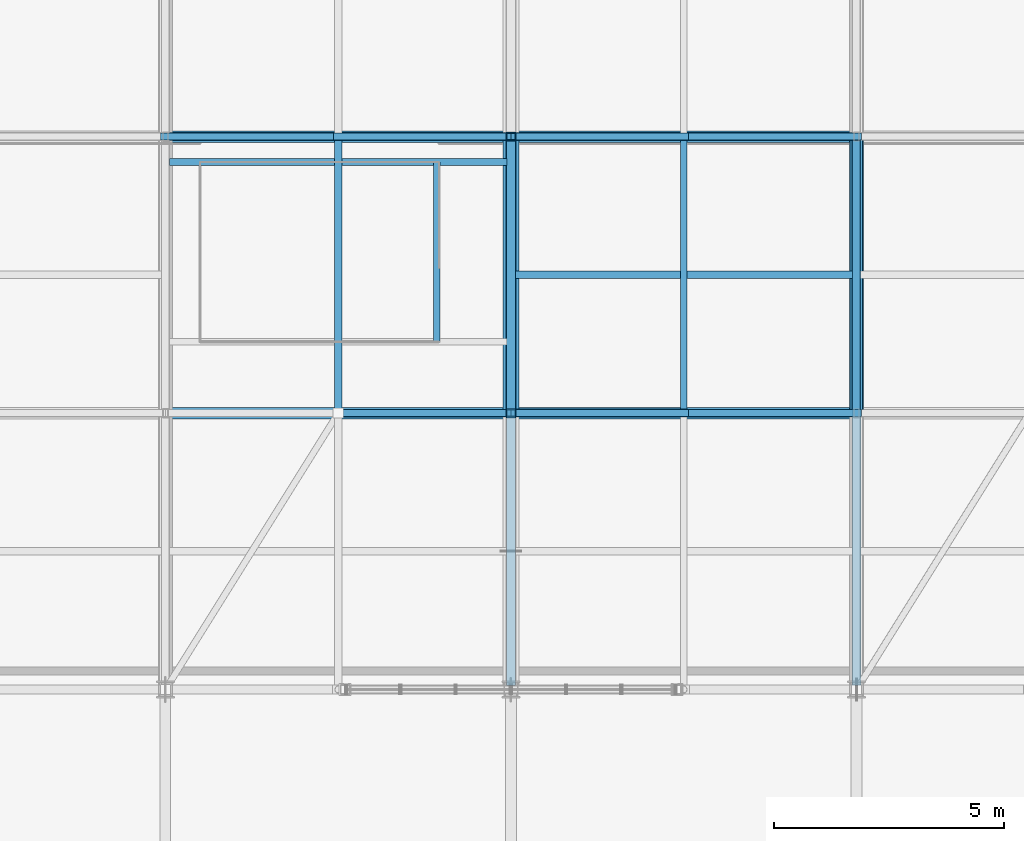
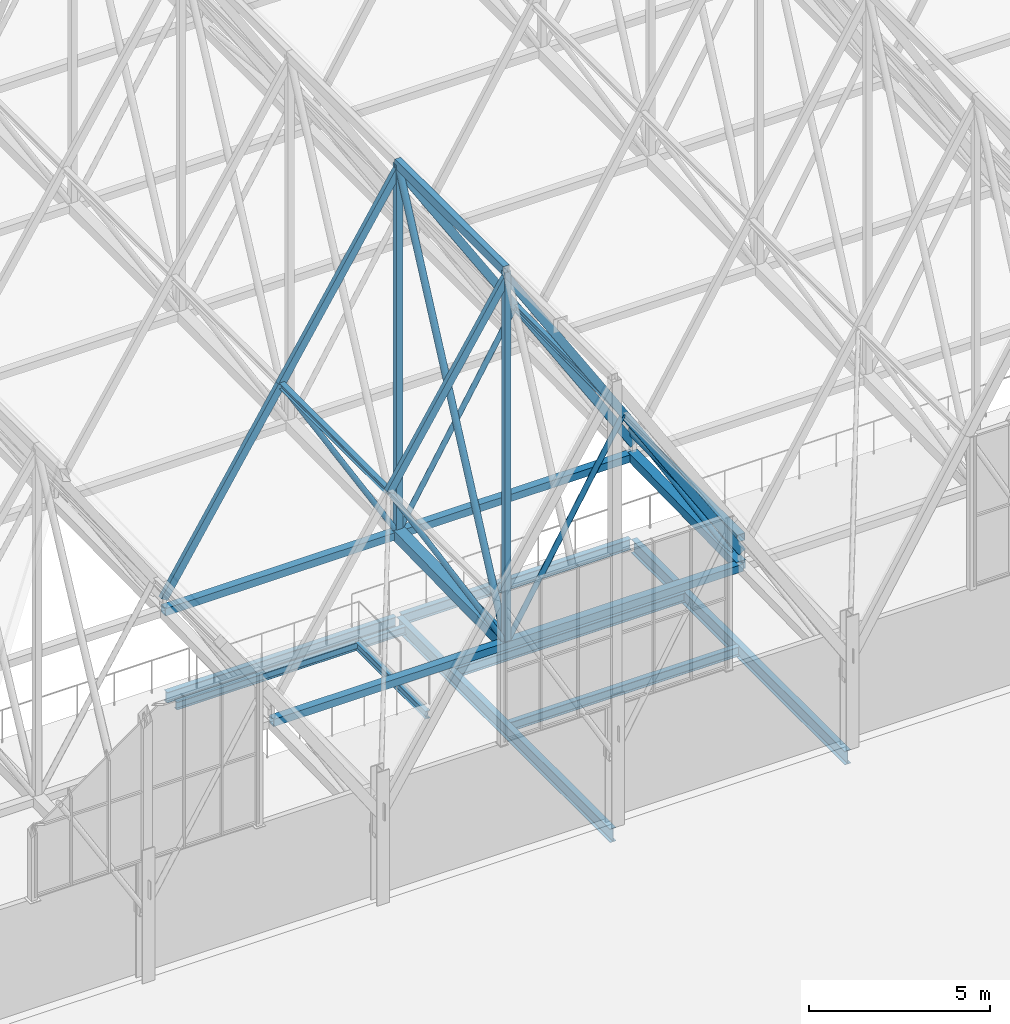
# One storey, part 90 of 324: 21 members, 10 beams.
"""IFC4 building model written with IfcOpenShell, lengths in metres."""

from ifc_helpers import new_model, si_unit, direction, frame, origin, origin_2d, place, context, subcontext, project, spatial, hollow_rectangle, hollow_circle, i_section, extrude, material, material_profile, profile_set, type_object, element, save


model = new_model("IFC4")

# Units and contexts
model_context = context("Model", 3, precision=1e-05, world=origin(), true_north=direction((0.0, 1.0)))
body_context = subcontext(model_context, "Body", "Model", "MODEL_VIEW")
ifc_project = project(units=[si_unit("LENGTHUNIT", "METRE"), si_unit("AREAUNIT", "SQUARE_METRE"), si_unit("VOLUMEUNIT", "CUBIC_METRE"), si_unit("PLANEANGLEUNIT", "RADIAN"), si_unit("MASSUNIT", "GRAM", prefix="KILO")], contexts=[model_context])

# Site, building, storey
site_placement = place(None, origin())
site = spatial("IfcSite", under=ifc_project, at=site_placement, CompositionType="ELEMENT")
building_placement = place(site_placement, origin())
building = spatial("IfcBuilding", under=site, at=building_placement, Name="Solvenia Promenade Tram Depot", CompositionType="ELEMENT")
storey_placement = place(building_placement, frame((0.0, 0.0, 4.5)))
storey = spatial("IfcBuildingStorey", under=building, at=storey_placement, Name="L01", CompositionType="ELEMENT", Elevation=4.5)

# Beams
ifc_material_1 = material(Name="Structural steel ASTM A992 Gr. 50", Category="steel")
ifc_material_profile_1 = material_profile(ifc_material_1, i_section(OverallWidth=0.19091796875, OverallDepth=0.4599609375, WebThickness=0.010009765625, FlangeThickness=0.01611328125, FilletRadius=0.012939453125, at=origin_2d()), Name="W460x82", Category="steel")
ifc_profile_set_1 = profile_set([ifc_material_profile_1], Name="Structural steel ASTM A992 Gr. 50")
beam_type_1 = type_object("IfcBeamType", Name="Beam-W460x82", PredefinedType="BEAM", material=ifc_profile_set_1)
for number, where, z_axis, x_axis, name in (
    (1, (22.5, 66.0849609375, -0.449951171875), (0.0, 1.0, 0.0), (-1.0, 0.0, 0.0), "Transverse Girder BM-L01-0044"),
    (2, (30.0, 66.0849609375, -0.449951171875), (0.0, 1.0, 0.0), (-1.0, 0.0, 0.0), "Transverse Girder BM-L01-0045"),
):
    element("IfcBeam", number, at=place(storey_placement, frame(where, z_axis=z_axis, x_axis=x_axis)), inside=storey, type_object=beam_type_1, Name=name, PredefinedType="BEAM", context=body_context, shape_type="SweptSolid", body=[
        extrude(i_section(OverallWidth=0.19091796875, OverallDepth=0.4599609375, WebThickness=0.010009765625, FlangeThickness=0.01611328125, FilletRadius=0.012939453125, at=origin_2d()), origin(), (0.0, 0.0, 1.0), 11.830078125),
    ])

# Members
ifc_material_2 = material(Name="Structural steel ASTM A500 Gr. C", Category="steel")
ifc_material_profile_2 = material_profile(ifc_material_2, hollow_circle(Radius=0.109619140625, WallThickness=0.008056640625, at=origin_2d()), Name="CHS219.1x8", Category="steel")
ifc_profile_set_2 = profile_set([ifc_material_profile_2], Name="Structural steel ASTM A500 Gr. C")
member_type_1 = type_object("IfcMemberType", Name="Brace-CHS219x8", PredefinedType="BRACE", material=ifc_profile_set_2)
member_1_placement = place(storey_placement, frame((22.5, 72.0, 2.446044921875), z_axis=(0.0, 0.430100688275, 0.902780924669), x_axis=(-1.0, 0.0, 0.0)))
element("IfcMember", 3, at=member_1_placement, inside=storey, type_object=member_type_1, Name="Arched Truss T04 Web Diagonal S02", PredefinedType="BRACE", context=body_context, shape_type="SweptSolid", body=[
    extrude(hollow_circle(Radius=0.109619140625, WallThickness=0.008056640625, at=origin_2d()), origin(), (0.0, 0.0, 1.0), 13.9501953125),
])
ifc_material_profile_3 = material_profile(ifc_material_2, hollow_rectangle(XDim=0.14990234375, YDim=0.25, WallThickness=0.010009765625, at=origin_2d()), Name="HSS250x150x10", Category="steel")
ifc_profile_set_3 = profile_set([ifc_material_profile_3], Name="Structural steel ASTM A500 Gr. C")
member_type_2 = type_object("IfcMemberType", Name="Chord-HSS250x150x10", PredefinedType="CHORD", material=ifc_profile_set_3)
for number, where, z_axis, x_axis, name in (
    (4, (18.75, 72.0, 8.8876953125), (0.533522444929, 0.0, 0.845785907164), (0.0, 1.0, 0.0), "Zigzag Gable 02 West Upper Rafter"),
    (5, (22.5, 72.0, 14.83251953125), (0.533522444929, 0.0, -0.845785907164), (0.0, 1.0, 0.0), "Zigzag Gable 02 East Upper Rafter"),
):
    element("IfcMember", number, at=place(storey_placement, frame(where, z_axis=z_axis, x_axis=x_axis)), inside=storey, type_object=member_type_2, Name=name, PredefinedType="CHORD", context=body_context, shape_type="SweptSolid", body=[
        extrude(hollow_rectangle(XDim=0.14990234375, YDim=0.25, WallThickness=0.010009765625, at=origin_2d()), origin(), (0.0, 0.0, 1.0), 7.02880859375),
    ])
for number, where, z_axis, x_axis, name in (
    (6, (26.25, 72.0, 8.8876953125), (0.533506771487, 0.0, -0.845795793781), (0.0, 1.0, 0.0), "Zigzag Gable 02 East Lower Rafter"),
    (7, (15.0, 78.0, 2.942626953125), (0.533506771487, 0.0, 0.845795793781), (0.0, 1.0, 0.0), "Zigzag Gable 02 West Lower Rafter"),
):
    element("IfcMember", number, at=place(storey_placement, frame(where, z_axis=z_axis, x_axis=x_axis)), inside=storey, type_object=member_type_2, Name=name, PredefinedType="CHORD", context=body_context, shape_type="SweptSolid", body=[
        extrude(hollow_rectangle(XDim=0.14990234375, YDim=0.25, WallThickness=0.010009765625, at=origin_2d()), origin(), (0.0, 0.0, 1.0), 7.029052734375),
    ])
for number, where, z_axis, x_axis, name in (
    (8, (18.75, 78.0, 8.8876953125), (0.533522444929, 0.0, 0.845785907164), (0.0, 1.0, 0.0), "Zigzag Gable 02 West Upper Rafter"),
    (9, (22.5, 78.0, 14.83251953125), (0.533522444929, 0.0, -0.845785907164), (0.0, 1.0, 0.0), "Zigzag Gable 02 East Upper Rafter"),
):
    element("IfcMember", number, at=place(storey_placement, frame(where, z_axis=z_axis, x_axis=x_axis)), inside=storey, type_object=member_type_2, Name=name, PredefinedType="CHORD", context=body_context, shape_type="SweptSolid", body=[
        extrude(hollow_rectangle(XDim=0.14990234375, YDim=0.25, WallThickness=0.010009765625, at=origin_2d()), origin(), (0.0, 0.0, 1.0), 7.02880859375),
    ])
member_2_placement = place(storey_placement, frame((26.25, 78.0, 8.8876953125), z_axis=(0.533506771487, 0.0, -0.845795793781), x_axis=(0.0, 1.0, 0.0)))
element("IfcMember", 10, at=member_2_placement, inside=storey, type_object=member_type_2, Name="Zigzag Gable 02 East Lower Rafter", PredefinedType="CHORD", context=body_context, shape_type="SweptSolid", body=[
    extrude(hollow_rectangle(XDim=0.14990234375, YDim=0.25, WallThickness=0.010009765625, at=origin_2d()), origin(), (0.0, 0.0, 1.0), 7.029052734375),
])
ifc_material_profile_4 = material_profile(ifc_material_2, hollow_rectangle(XDim=0.25, YDim=0.25, WallThickness=0.010009765625, at=origin_2d()), Name="HSS250x250x10", Category="steel")
ifc_profile_set_4 = profile_set([ifc_material_profile_4], Name="Structural steel ASTM A500 Gr. C")
member_type_3 = type_object("IfcMemberType", Name="Chord-HSS250x250x10", PredefinedType="CHORD", material=ifc_profile_set_4)
member_3_placement = place(storey_placement, frame((30.0, 72.0, 3.3798828125), z_axis=(0.0, 1.0, 0.0), x_axis=(-1.0, 0.0, 0.0)))
element("IfcMember", 11, at=member_3_placement, inside=storey, type_object=member_type_3, Name="Arched Truss T05 Upper Chord S02", PredefinedType="CHORD", context=body_context, shape_type="SweptSolid", body=[
    extrude(hollow_rectangle(XDim=0.25, YDim=0.25, WallThickness=0.010009765625, at=origin_2d()), origin(), (0.0, 0.0, 1.0), 6.0),
])
for number, where, z_axis, x_axis, name in (
    (12, (15.0, 72.0, 2.446044921875), (1.0, 0.0, 0.0), (0.0, 1.0, 0.0), "Bottom-Chord Catenary Lateral Tie 010"),
    (13, (15.0, 78.0, 2.5439453125), (1.0, 0.0, 0.0), (0.0, 1.0, 0.0), "Bottom-Chord Catenary Lateral Tie 011"),
):
    element("IfcMember", number, at=place(storey_placement, frame(where, z_axis=z_axis, x_axis=x_axis)), inside=storey, type_object=member_type_3, Name=name, PredefinedType="CHORD", context=body_context, shape_type="SweptSolid", body=[
        extrude(hollow_rectangle(XDim=0.25, YDim=0.25, WallThickness=0.010009765625, at=origin_2d()), origin(), (0.0, 0.0, 1.0), 15.0),
    ])
ifc_material_profile_5 = material_profile(ifc_material_2, hollow_rectangle(XDim=0.199951171875, YDim=0.300048828125, WallThickness=0.012451171875, at=origin_2d()), Name="HSS300x200x12.5", Category="steel")
ifc_profile_set_5 = profile_set([ifc_material_profile_5], Name="Structural steel ASTM A500 Gr. C")
member_type_4 = type_object("IfcMemberType", Name="Chord-HSS300x200x12", PredefinedType="CHORD", material=ifc_profile_set_5)
member_4_placement = place(storey_placement, frame((22.5, 72.0, 15.0400390625), z_axis=(0.0, 1.0, 0.0), x_axis=(-1.0, 0.0, 0.0)))
element("IfcMember", 14, at=member_4_placement, inside=storey, type_object=member_type_4, Name="Arched Truss T04 Upper Chord S02", PredefinedType="CHORD", context=body_context, shape_type="SweptSolid", body=[
    extrude(hollow_rectangle(XDim=0.199951171875, YDim=0.300048828125, WallThickness=0.012451171875, at=origin_2d()), origin(), (0.0, 0.0, 1.0), 6.0),
])
ifc_material_profile_6 = material_profile(ifc_material_2, hollow_rectangle(XDim=0.300048828125, YDim=0.300048828125, WallThickness=0.012451171875, at=origin_2d()), Name="HSS300x300x12.5", Category="steel")
ifc_profile_set_6 = profile_set([ifc_material_profile_6], Name="Structural steel ASTM A500 Gr. C")
member_type_5 = type_object("IfcMemberType", Name="Chord-HSS300x300x12", PredefinedType="CHORD", material=ifc_profile_set_6)
member_5_placement = place(storey_placement, frame((30.0, 72.0, 2.446044921875), z_axis=(0.0, 0.999866908707, 0.016314560156), x_axis=(-1.0, 0.0, 0.0)))
element("IfcMember", 15, at=member_5_placement, inside=storey, type_object=member_type_5, Name="Arched Truss T05 Bottom Chord S02", PredefinedType="CHORD", context=body_context, shape_type="SweptSolid", body=[
    extrude(hollow_rectangle(XDim=0.300048828125, YDim=0.300048828125, WallThickness=0.012451171875, at=origin_2d()), origin(), (0.0, 0.0, 1.0), 6.000732421875),
])
ifc_material_profile_7 = material_profile(ifc_material_2, hollow_rectangle(XDim=0.35009765625, YDim=0.35009765625, WallThickness=0.01611328125, at=origin_2d()), Name="HSS350x350x16", Category="steel")
ifc_profile_set_7 = profile_set([ifc_material_profile_7], Name="Structural steel ASTM A500 Gr. C")
member_type_6 = type_object("IfcMemberType", Name="Chord-HSS350x350x16", PredefinedType="CHORD", material=ifc_profile_set_7)
member_6_placement = place(storey_placement, frame((22.5, 72.0, 2.446044921875), z_axis=(0.0, 0.999866908707, 0.016314560156), x_axis=(-1.0, 0.0, 0.0)))
element("IfcMember", 16, at=member_6_placement, inside=storey, type_object=member_type_6, Name="Arched Truss T04 Bottom Chord S02", PredefinedType="CHORD", context=body_context, shape_type="SweptSolid", body=[
    extrude(hollow_rectangle(XDim=0.35009765625, YDim=0.35009765625, WallThickness=0.01611328125, at=origin_2d()), origin(), (0.0, 0.0, 1.0), 6.000732421875),
])

# Beams
ifc_material_profile_8 = material_profile(ifc_material_1, i_section(OverallWidth=0.14697265625, OverallDepth=0.261962890625, WebThickness=0.006591796875, FlangeThickness=0.01123046875, FilletRadius=0.010009765625, at=origin_2d()), Name="W250x39", Category="steel")
ifc_profile_set_8 = profile_set([ifc_material_profile_8], Name="Structural steel ASTM A992 Gr. 50")
beam_type_2 = type_object("IfcBeamType", Name="Joist-W250x39", PredefinedType="JOIST", material=ifc_profile_set_8)
beam_1_placement = place(storey_placement, frame((15.0849609375, 77.449951171875, -0.35107421875), z_axis=(1.0, 0.0, 0.0), x_axis=(0.0, 1.0, 0.0)))
element("IfcBeam", 17, at=beam_1_placement, inside=storey, type_object=beam_type_2, Name="Gallery Opening Stringer 1N BM-L01-0961", PredefinedType="JOIST", context=body_context, shape_type="SweptSolid", body=[
    extrude(i_section(OverallWidth=0.14697265625, OverallDepth=0.261962890625, WebThickness=0.006591796875, FlangeThickness=0.01123046875, FilletRadius=0.010009765625, at=origin_2d()), origin(), (0.0, 0.0, 1.0), 7.330078125),
])
beam_2_placement = place(storey_placement, frame((20.889892578125, 73.550048828125, -0.35107421875), z_axis=(0.0, 1.0, 0.0), x_axis=(-1.0, 0.0, 0.0)))
element("IfcBeam", 18, at=beam_2_placement, inside=storey, type_object=beam_type_2, Name="Gallery Flight Arrival Trimmer 1 BM-L01-0962", PredefinedType="JOIST", context=body_context, shape_type="SweptSolid", body=[
    extrude(i_section(OverallWidth=0.14697265625, OverallDepth=0.261962890625, WebThickness=0.006591796875, FlangeThickness=0.01123046875, FilletRadius=0.010009765625, at=origin_2d()), origin(), (0.0, 0.0, 1.0), 3.89990234375),
])
ifc_material_profile_9 = material_profile(ifc_material_1, i_section(OverallWidth=0.166015625, OverallDepth=0.31298828125, WebThickness=0.006591796875, FlangeThickness=0.01123046875, FilletRadius=0.010009765625, at=origin_2d()), Name="W310x45", Category="steel")
ifc_profile_set_9 = profile_set([ifc_material_profile_9], Name="Structural steel ASTM A992 Gr. 50")
beam_type_3 = type_object("IfcBeamType", Name="Joist-W310x45", PredefinedType="JOIST", material=ifc_profile_set_9)
for number, where, z_axis, x_axis, name in (
    (19, (22.5849609375, 72.0, -0.37646484375), (1.0, 0.0, 0.0), (0.0, 1.0, 0.0), "Secondary Floor Joist BM-L01-0071"),
    (20, (22.5849609375, 75.0, -0.37646484375), (1.0, 0.0, 0.0), (0.0, 1.0, 0.0), "Secondary Floor Joist BM-L01-0072"),
):
    element("IfcBeam", number, at=place(storey_placement, frame(where, z_axis=z_axis, x_axis=x_axis)), inside=storey, type_object=beam_type_3, Name=name, PredefinedType="JOIST", context=body_context, shape_type="SweptSolid", body=[
        extrude(i_section(OverallWidth=0.166015625, OverallDepth=0.31298828125, WebThickness=0.006591796875, FlangeThickness=0.01123046875, FilletRadius=0.010009765625, at=origin_2d()), origin(), (0.0, 0.0, 1.0), 7.330078125),
    ])

# Members
ifc_material_profile_10 = material_profile(ifc_material_2, hollow_rectangle(XDim=0.199951171875, YDim=0.199951171875, WallThickness=0.010009765625, at=origin_2d()), Name="HSS200x200x10", Category="steel")
ifc_profile_set_10 = profile_set([ifc_material_profile_10], Name="Structural steel ASTM A500 Gr. C")
member_type_7 = type_object("IfcMemberType", Name="Post-HSS200x200x10", PredefinedType="POST", material=ifc_profile_set_10)
member_7_placement = place(storey_placement, frame((22.5, 72.0, 2.446044921875), z_axis=(0.0, 0.0, 1.0), x_axis=(1.0, 0.0, 0.0)))
element("IfcMember", 21, at=member_7_placement, inside=storey, type_object=member_type_7, Name="Arched Truss T04 Web Post S01", PredefinedType="POST", context=body_context, shape_type="SweptSolid", body=[
    extrude(hollow_rectangle(XDim=0.199951171875, YDim=0.199951171875, WallThickness=0.010009765625, at=origin_2d()), origin(), (0.0, 0.0, 1.0), 12.593994140625),
])
member_8_placement = place(storey_placement, frame((22.5, 78.0, 2.5439453125), z_axis=(0.0, 0.0, 1.0), x_axis=(1.0, 0.0, 0.0)))
element("IfcMember", 22, at=member_8_placement, inside=storey, type_object=member_type_7, Name="Arched Truss T04 Web Post S02", PredefinedType="POST", context=body_context, shape_type="SweptSolid", body=[
    extrude(hollow_rectangle(XDim=0.199951171875, YDim=0.199951171875, WallThickness=0.010009765625, at=origin_2d()), origin(), (0.0, 0.0, 1.0), 12.49609375),
])

# Beams
ifc_material_profile_11 = material_profile(ifc_material_1, i_section(OverallWidth=0.133056640625, OverallDepth=0.20703125, WebThickness=0.005859375, FlangeThickness=0.00830078125, FilletRadius=0.009033203125, at=origin_2d()), Name="W200x27", Category="steel")
ifc_profile_set_11 = profile_set([ifc_material_profile_11], Name="Structural steel ASTM A992 Gr. 50")
beam_type_4 = type_object("IfcBeamType", Name="Purlin-W200x27", PredefinedType="USERDEFINED", material=ifc_profile_set_11)
beam_3_placement = place(storey_placement, frame((26.25, 72.0849609375, 8.8857421875), z_axis=(0.0, 1.0, 0.0), x_axis=(-1.0, 0.0, 0.0)))
element("IfcBeam", 23, at=beam_3_placement, inside=storey, type_object=beam_type_4, Name="Gable Roof Purlin E-0024", ObjectType="PURLIN", PredefinedType="USERDEFINED", context=body_context, shape_type="SweptSolid", body=[
    extrude(i_section(OverallWidth=0.133056640625, OverallDepth=0.20703125, WebThickness=0.005859375, FlangeThickness=0.00830078125, FilletRadius=0.009033203125, at=origin_2d()), origin(), (0.0, 0.0, 1.0), 5.830078125),
])
ifc_material_profile_12 = material_profile(ifc_material_1, i_section(OverallWidth=0.1650390625, OverallDepth=0.200927734375, WebThickness=0.006103515625, FlangeThickness=0.01025390625, FilletRadius=0.010009765625, at=origin_2d()), Name="W200x36", Category="steel")
ifc_profile_set_12 = profile_set([ifc_material_profile_12], Name="Structural steel ASTM A992 Gr. 50")
beam_type_5 = type_object("IfcBeamType", Name="Purlin-W200x36", PredefinedType="USERDEFINED", material=ifc_profile_set_12)
beam_4_placement = place(storey_placement, frame((18.75, 72.0849609375, 8.8857421875), z_axis=(0.0, 1.0, 0.0), x_axis=(-1.0, 0.0, 0.0)))
element("IfcBeam", 24, at=beam_4_placement, inside=storey, type_object=beam_type_5, Name="Gable Roof Purlin W-0023", ObjectType="PURLIN", PredefinedType="USERDEFINED", context=body_context, shape_type="SweptSolid", body=[
    extrude(i_section(OverallWidth=0.1650390625, OverallDepth=0.200927734375, WebThickness=0.006103515625, FlangeThickness=0.01025390625, FilletRadius=0.010009765625, at=origin_2d()), origin(), (0.0, 0.0, 1.0), 5.830078125),
])
ifc_material_profile_13 = material_profile(ifc_material_1, i_section(OverallWidth=0.172119140625, OverallDepth=0.35791015625, WebThickness=0.0078125, FlangeThickness=0.01318359375, FilletRadius=0.010986328125, at=origin_2d()), Name="W360x57", Category="steel")
ifc_profile_set_13 = profile_set([ifc_material_profile_13], Name="Structural steel ASTM A992 Gr. 50")
beam_type_6 = type_object("IfcBeamType", Name="Spandrel-W360x57", PredefinedType="SPANDREL", material=ifc_profile_set_13)
for number, where, z_axis, x_axis, name in (
    (25, (15.0849609375, 78.0, -0.39892578125), (1.0, 0.0, 0.0), (0.0, 1.0, 0.0), "Perimeter Spandrel BM-L01-0023"),
    (26, (22.5849609375, 78.0, -0.39892578125), (1.0, 0.0, 0.0), (0.0, 1.0, 0.0), "Perimeter Spandrel BM-L01-0024"),
):
    element("IfcBeam", number, at=place(storey_placement, frame(where, z_axis=z_axis, x_axis=x_axis)), inside=storey, type_object=beam_type_6, Name=name, PredefinedType="SPANDREL", context=body_context, shape_type="SweptSolid", body=[
        extrude(i_section(OverallWidth=0.172119140625, OverallDepth=0.35791015625, WebThickness=0.0078125, FlangeThickness=0.01318359375, FilletRadius=0.010986328125, at=origin_2d()), origin(), (0.0, 0.0, 1.0), 7.330078125),
    ])

# Members
ifc_material_profile_14 = material_profile(ifc_material_2, hollow_circle(Radius=0.084228515625, WallThickness=0.008056640625, at=origin_2d()), Name="CHS168.3x8", Category="steel")
ifc_profile_set_14 = profile_set([ifc_material_profile_14], Name="Structural steel ASTM A500 Gr. C")
member_type_8 = type_object("IfcMemberType", Name="WebDiag-CHS168x8", PredefinedType="BRACE", material=ifc_profile_set_14)
member_9_placement = place(storey_placement, frame((30.0, 72.0, 2.446044921875), z_axis=(0.0, 0.9881038455, 0.153788135133), x_axis=(-1.0, 0.0, 0.0)))
element("IfcMember", 27, at=member_9_placement, inside=storey, type_object=member_type_8, Name="Arched Truss T05 Web Diagonal S02", PredefinedType="BRACE", context=body_context, shape_type="SweptSolid", body=[
    extrude(hollow_circle(Radius=0.084228515625, WallThickness=0.008056640625, at=origin_2d()), origin(), (0.0, 0.0, 1.0), 6.072265625),
])
for number, where, z_axis, x_axis, name in (
    (28, (22.5, 72.0, 2.446044921875), (-0.503107125653, 0.0, 0.864224056664), (0.0, -1.0, 0.0), "Zigzag Gable 02 West Knee Strut"),
    (29, (22.5, 72.0, 2.446044921875), (0.503107125653, 0.0, 0.864224056664), (0.0, 1.0, 0.0), "Zigzag Gable 02 East Knee Strut"),
):
    element("IfcMember", number, at=place(storey_placement, frame(where, z_axis=z_axis, x_axis=x_axis)), inside=storey, type_object=member_type_8, Name=name, PredefinedType="BRACE", context=body_context, shape_type="SweptSolid", body=[
        extrude(hollow_circle(Radius=0.084228515625, WallThickness=0.008056640625, at=origin_2d()), origin(), (0.0, 0.0, 1.0), 7.45361328125),
    ])
for number, where, z_axis, x_axis, name in (
    (30, (22.5, 78.0, 2.5439453125), (-0.508872173777, 0.0, 0.860842093973), (0.0, -1.0, 0.0), "Zigzag Gable 02 West Knee Strut"),
    (31, (22.5, 78.0, 2.5439453125), (0.508872173777, 0.0, 0.860842093973), (0.0, 1.0, 0.0), "Zigzag Gable 02 East Knee Strut"),
):
    element("IfcMember", number, at=place(storey_placement, frame(where, z_axis=z_axis, x_axis=x_axis)), inside=storey, type_object=member_type_8, Name=name, PredefinedType="BRACE", context=body_context, shape_type="SweptSolid", body=[
        extrude(hollow_circle(Radius=0.084228515625, WallThickness=0.008056640625, at=origin_2d()), origin(), (0.0, 0.0, 1.0), 7.369140625),
    ])

save(model, "model.ifc")
